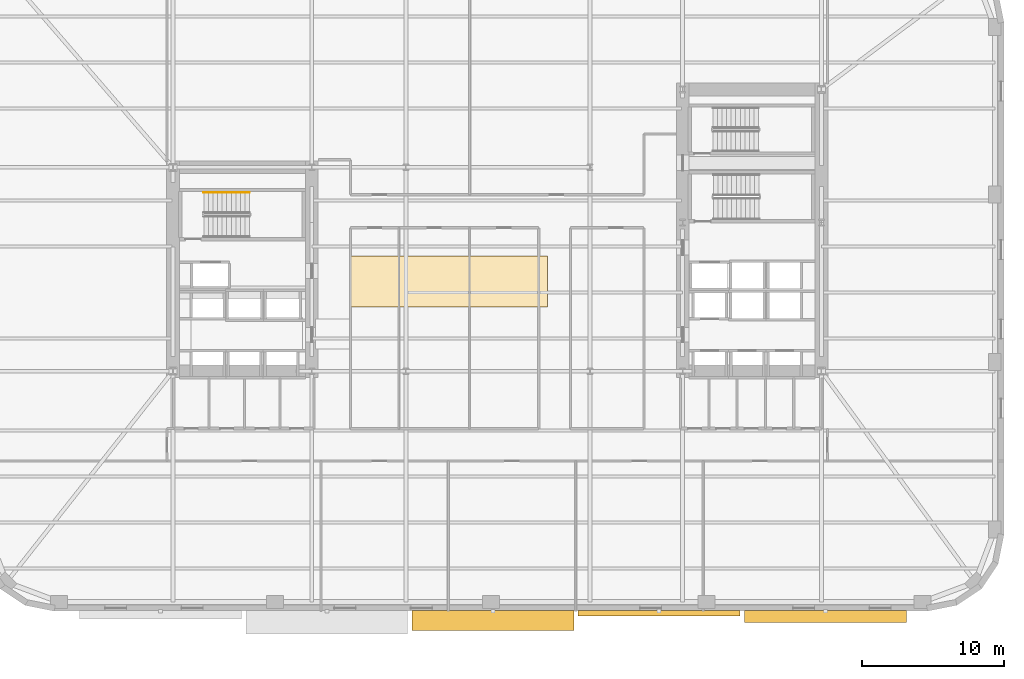
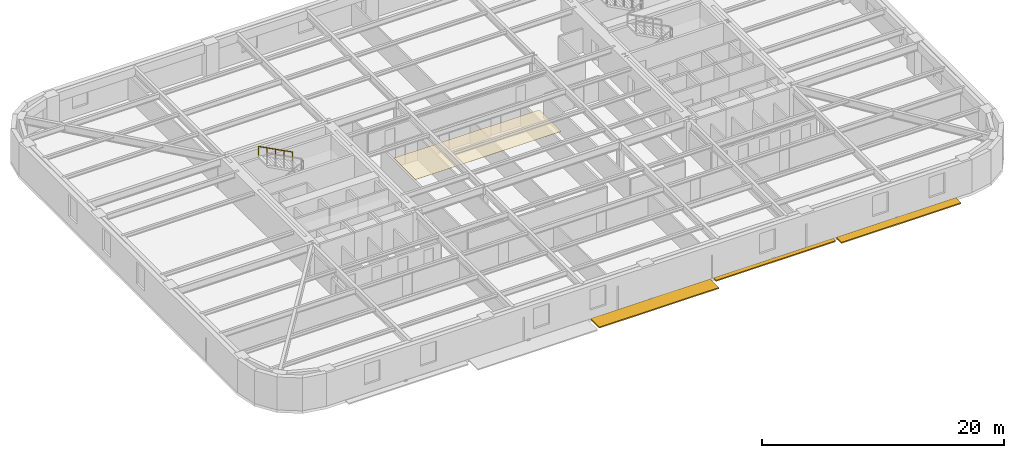
# One storey, part 10 of 14: 3 shading devices, 1 covering, 1 railing.
"""IFC4 building model written with IfcOpenShell, lengths in metres."""

from ifc_helpers import new_model, si_unit, direction, frame, origin, origin_2d, place, context, subcontext, project, spatial, polyline, rectangle, circle, outline, extrude, material, layer, layer_set, type_object, element, save


model = new_model("IFC4")

# Units and contexts
model_context = context("Model", 3, precision=1e-05, world=origin(), true_north=direction((0.0, 1.0)))
body_context = subcontext(model_context, "Body", "Model", "MODEL_VIEW")
ifc_project = project(units=[si_unit("LENGTHUNIT", "METRE"), si_unit("AREAUNIT", "SQUARE_METRE"), si_unit("VOLUMEUNIT", "CUBIC_METRE"), si_unit("PLANEANGLEUNIT", "RADIAN"), si_unit("MASSUNIT", "GRAM", prefix="KILO")], contexts=[model_context])

# Site, building, storey
site_placement = place(None, origin())
site = spatial("IfcSite", under=ifc_project, at=site_placement, CompositionType="ELEMENT")
building_placement = place(site_placement, origin())
building = spatial("IfcBuilding", under=site, at=building_placement, Name="Kolvaren Arena Tower", CompositionType="ELEMENT")
storey_placement = place(building_placement, frame((0.0, 0.0, 90.75)))
storey = spatial("IfcBuildingStorey", under=building, at=storey_placement, Name="L20", CompositionType="ELEMENT", Elevation=90.75)

# Covering
ifc_material_1 = material(Name="Mineral fibre acoustic ceiling tile", Category="gypsum")
ifc_layer = layer(ifc_material_1, 0.02490234375)
ifc_layer_set = layer_set([ifc_layer], Name="Mineral fibre acoustic ceiling tile")
covering_type = type_object("IfcCoveringType", Name="CEIL-ACT-1", PredefinedType="CEILING", material=ifc_layer_set)
covering_placement = place(storey_placement, frame((0.0, 0.0, 2.52001953125)))
element("IfcCovering", 1, at=covering_placement, inside=storey, type_object=covering_type, Name="Suspended Ceiling (L20)", PredefinedType="CEILING", context=body_context, shape_type="SweptSolid", body=[
    extrude(outline(polyline([(27.050048828125, 24.0), (27.050048828125, 27.60009765625), (41.0, 27.60009765625), (41.0, 24.0), (27.050048828125, 24.0)])), origin(), (0.0, 0.0, 1.0), 0.02490234375),
])

# Railing
ifc_material_2 = material(Name="Brushed stainless steel handrail", Category="steel")
railing_type = type_object("IfcRailingType", Name="HRAIL-900", PredefinedType="HANDRAIL", material=ifc_material_2)
railing_placement = place(storey_placement, frame((19.9599609375, 32.080078125, 2.04541015625)))
element("IfcRailing", 2, at=railing_placement, inside=storey, type_object=railing_type, Name="L20 ST-W1 stair handrail 2", PredefinedType="HANDRAIL", context=body_context, shape_type="SweptSolid", body=[
    extrude(circle(Radius=0.02392578125, at=origin_2d()), frame((0.0, 0.0, 0.8759765625), z_axis=(-0.884993431791, 0.0, 0.465603506952), x_axis=(0.0, -1.0, 0.0)), (0.0, 0.0, 1.0), 3.6611328125),
    extrude(circle(Radius=0.02099609375, at=origin_2d()), origin(), (0.0, 0.0, 1.0), 0.851806640625),
    extrude(circle(Radius=0.02099609375, at=origin_2d()), frame((-0.81005859375, 0.0, 0.42626953125)), (0.0, 0.0, 1.0), 0.851806640625),
    extrude(circle(Radius=0.02099609375, at=origin_2d()), frame((-1.6201171875, 0.0, 0.852294921875)), (0.0, 0.0, 1.0), 0.851806640625),
    extrude(circle(Radius=0.02099609375, at=origin_2d()), frame((-2.429931640625, 0.0, 1.2783203125)), (0.0, 0.0, 1.0), 0.851806640625),
    extrude(circle(Radius=0.02099609375, at=origin_2d()), frame((-3.239990234375, 0.0, 1.70458984375)), (0.0, 0.0, 1.0), 0.851806640625),
])

# Shading devices
ifc_material_3 = material(Name="Architectural precast GFRC and anodised aluminium sunshade", Category="concrete")
shading_device_type_1 = type_object("IfcShadingDeviceType", Name="SHAD-SINE-A", PredefinedType="USERDEFINED", material=ifc_material_3)
shading_device_1_placement = place(storey_placement, frame((60.6298828125, 2.121826171875, -0.14013671875), z_axis=(0.0, 0.0, 1.0), x_axis=(-1.0, 0.0, 0.0)))
element("IfcShadingDevice", 3, at=shading_device_1_placement, inside=storey, type_object=shading_device_type_1, Name="Sinusoidal Slab-Edge Sunshade Louvre (L20)", ObjectType="LOUVRE", PredefinedType="USERDEFINED", context=body_context, shape_type="SweptSolid", body=[
    extrude(rectangle(XDim=11.43994140625, YDim=0.8564453125, at=origin_2d()), origin(), (0.0, 0.0, 1.0), 0.1201171875),
])
shading_device_2_placement = place(storey_placement, frame((48.889892578125, 2.34521484375, -0.14013671875), z_axis=(0.0, 0.0, 1.0), x_axis=(-1.0, 0.0, 0.0)))
element("IfcShadingDevice", 4, at=shading_device_2_placement, inside=storey, type_object=shading_device_type_1, Name="Sinusoidal Slab-Edge Sunshade Louvre (L20)", ObjectType="LOUVRE", PredefinedType="USERDEFINED", context=body_context, shape_type="SweptSolid", body=[
    extrude(rectangle(XDim=11.43994140625, YDim=0.40966796875, at=origin_2d()), origin(), (0.0, 0.0, 1.0), 0.1201171875),
])
shading_device_type_2 = type_object("IfcShadingDeviceType", Name="SHAD-SINE-B", PredefinedType="JALOUSIE", material=ifc_material_3)
shading_device_3_placement = place(storey_placement, frame((37.14990234375, 1.83544921875, -0.14013671875), z_axis=(0.0, 0.0, 1.0), x_axis=(-1.0, 0.0, 0.0)))
element("IfcShadingDevice", 5, at=shading_device_3_placement, inside=storey, type_object=shading_device_type_2, Name="Sinusoidal Slab-Edge Sunshade Louvre (L20)", PredefinedType="JALOUSIE", context=body_context, shape_type="SweptSolid", body=[
    extrude(rectangle(XDim=11.43994140625, YDim=1.42919921875, at=origin_2d()), origin(), (0.0, 0.0, 1.0), 0.1201171875),
])

save(model, "model.ifc")
